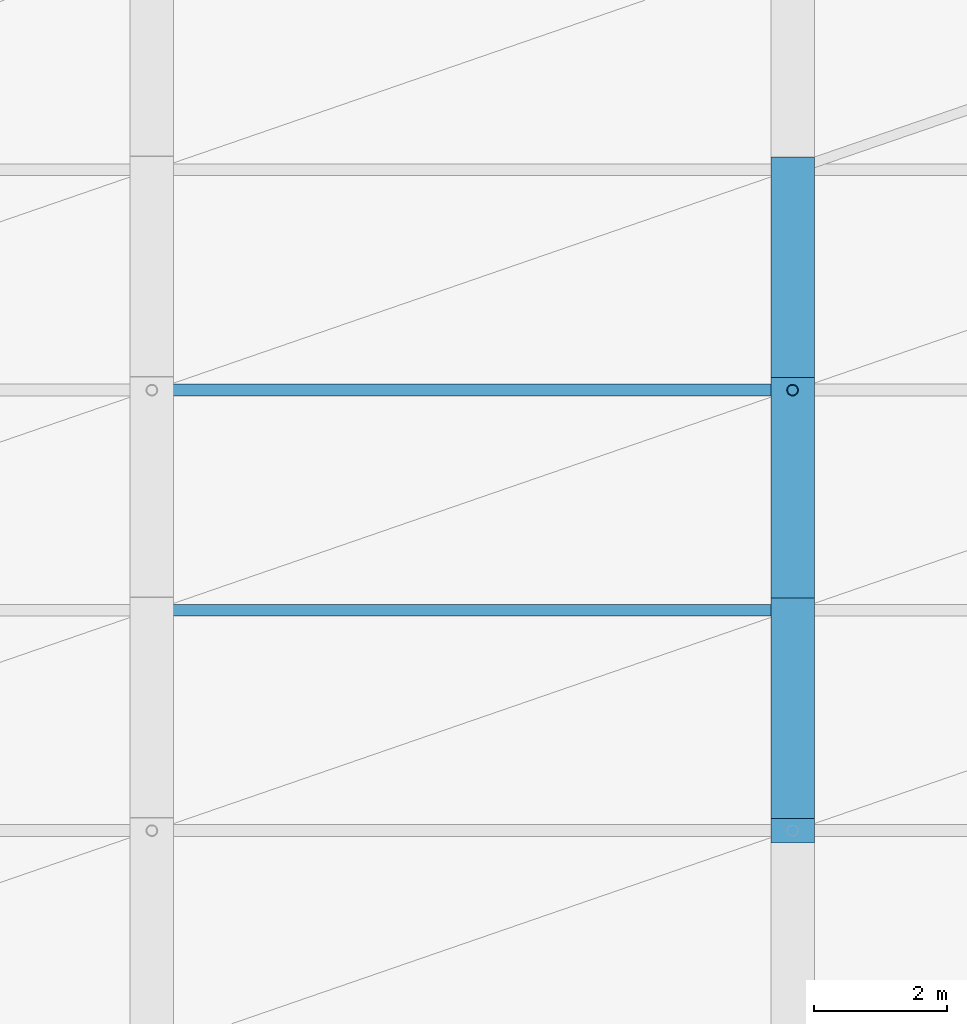
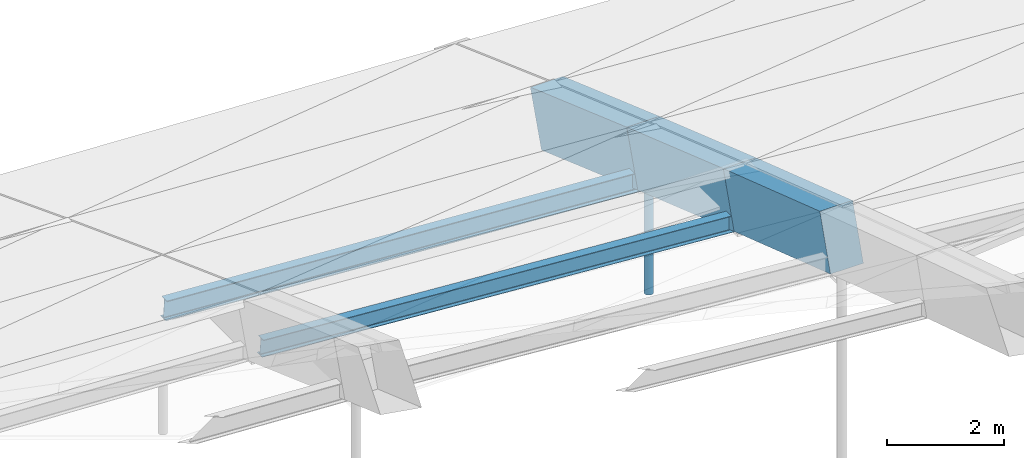
# One storey, part 35 of 43: 3 beams, 3 members.
"""IFC4 building model written with IfcOpenShell, lengths in metres."""

from ifc_helpers import new_model, si_unit, direction, frame, origin, origin_2d, place, context, subcontext, project, spatial, rectangle, hollow_circle, i_section, extrude, material, material_profile, profile_set, type_object, element, save


model = new_model("IFC4")

# Units and contexts
model_context = context("Model", 3, precision=1e-05, world=origin(), true_north=direction((0.0, 1.0)))
body_context = subcontext(model_context, "Body", "Model", "MODEL_VIEW")
ifc_project = project(units=[si_unit("LENGTHUNIT", "METRE"), si_unit("AREAUNIT", "SQUARE_METRE"), si_unit("VOLUMEUNIT", "CUBIC_METRE"), si_unit("PLANEANGLEUNIT", "RADIAN"), si_unit("MASSUNIT", "GRAM", prefix="KILO")], contexts=[model_context])

# Site, building, storey
site_placement = place(None, origin())
site = spatial("IfcSite", under=ifc_project, at=site_placement, CompositionType="ELEMENT")
building_placement = place(site_placement, origin())
building = spatial("IfcBuilding", under=site, at=building_placement, Name="Chalmorin Arch Market", CompositionType="ELEMENT")
storey_placement = place(building_placement, frame((0.0, 0.0, 18.60009765625)))
storey = spatial("IfcBuildingStorey", under=building, at=storey_placement, Name="RF", CompositionType="ELEMENT", Elevation=18.60009765625)

# Member
ifc_material_1 = material(Name="Steel A500 Grade C", Category="steel")
ifc_material_profile_1 = material_profile(ifc_material_1, hollow_circle(Radius=0.084228515625, WallThickness=0.007080078125, at=origin_2d()), Name="CHS168X7")
ifc_profile_set_1 = profile_set([ifc_material_profile_1], Name="Steel A500 Grade C")
member_type_1 = type_object("IfcMemberType", Name="ArchHangerTie-CHS168", PredefinedType="CHORD", material=ifc_profile_set_1)
member_1_placement = place(storey_placement, frame((115.199951171875, 52.199951171875, -3.283447265625), z_axis=(0.0, 0.0, 1.0), x_axis=(1.0, 0.0, 0.0)))
element("IfcMember", 1, at=member_1_placement, inside=storey, type_object=member_type_1, Name="HT-CH168-0183", PredefinedType="CHORD", context=body_context, shape_type="SweptSolid", body=[
    extrude(hollow_circle(Radius=0.084228515625, WallThickness=0.007080078125, at=origin_2d()), origin(), (0.0, 0.0, 1.0), 2.90673828125),
])

# Beams
ifc_material_2 = material(Name="Concrete C50/60", Category="concrete")
ifc_material_profile_2 = material_profile(ifc_material_2, rectangle(XDim=0.64990234375, YDim=1.14990234375, at=origin_2d()), Name="RC650X1150")
ifc_profile_set_2 = profile_set([ifc_material_profile_2], Name="Concrete C50/60")
beam_type = type_object("IfcBeamType", Name="ArchRibChord-650x1150", PredefinedType="BEAM", material=ifc_profile_set_2)
beam_1_placement = place(storey_placement, frame((115.199951171875, 45.60009765625, 1.87060546875), z_axis=(0.0, 0.947824287772, -0.318793223751), x_axis=(-1.0, 0.0, 0.0)))
element("IfcBeam", 2, at=beam_1_placement, inside=storey, type_object=beam_type, Name="AR-01-1730", PredefinedType="BEAM", context=body_context, shape_type="SweptSolid", body=[
    extrude(rectangle(XDim=0.64990234375, YDim=1.14990234375, at=origin_2d()), origin(), (0.0, 0.0, 1.0), 3.4814453125),
])
beam_2_placement = place(storey_placement, frame((115.199951171875, 48.89990234375, 0.7607421875), z_axis=(0.0, 0.945416826687, -0.325863504885), x_axis=(-1.0, 0.0, 0.0)))
element("IfcBeam", 3, at=beam_2_placement, inside=storey, type_object=beam_type, Name="AR-01-1731", PredefinedType="BEAM", context=body_context, shape_type="SweptSolid", body=[
    extrude(rectangle(XDim=0.64990234375, YDim=1.14990234375, at=origin_2d()), origin(), (0.0, 0.0, 1.0), 3.490478515625),
])
beam_3_placement = place(storey_placement, frame((115.199951171875, 52.199951171875, -0.376708984375), z_axis=(0.0, 0.94300578807, -0.332776326781), x_axis=(-1.0, 0.0, 0.0)))
element("IfcBeam", 4, at=beam_3_placement, inside=storey, type_object=beam_type, Name="AR-01-1732", PredefinedType="BEAM", context=body_context, shape_type="SweptSolid", body=[
    extrude(rectangle(XDim=0.64990234375, YDim=1.14990234375, at=origin_2d()), origin(), (0.0, 0.0, 1.0), 3.49951171875),
])

# Members
ifc_material_3 = material(Name="Steel A992 Grade 50", Category="steel")
ifc_material_profile_3 = material_profile(ifc_material_3, i_section(OverallWidth=0.1708984375, OverallDepth=0.35107421875, WebThickness=0.0068359375, FlangeThickness=0.009765625, FilletRadius=0.014892578125, at=origin_2d()), Name="W14X30")
ifc_profile_set_3 = profile_set([ifc_material_profile_3], Name="Steel A992 Grade 50")
member_type_2 = type_object("IfcMemberType", Name="RoofSteelPurlin-W14X30", PredefinedType="PURLIN", material=ifc_profile_set_3)
member_2_placement = place(storey_placement, frame((105.6201171875, 48.89990234375, 0.94482421875), z_axis=(0.997596075775, 0.0, -0.069296966726), x_axis=(0.0, 1.0, 0.0)))
element("IfcMember", 5, at=member_2_placement, inside=storey, type_object=member_type_2, Name="PR-W14-0311", PredefinedType="PURLIN", context=body_context, shape_type="SweptSolid", body=[
    extrude(i_section(OverallWidth=0.1708984375, OverallDepth=0.35107421875, WebThickness=0.0068359375, FlangeThickness=0.009765625, FilletRadius=0.014892578125, at=origin_2d()), origin(), (0.0, 0.0, 1.0), 9.582763671875),
])
ifc_material_profile_4 = material_profile(ifc_material_3, i_section(OverallWidth=0.178955078125, OverallDepth=0.409912109375, WebThickness=0.0087890625, FlangeThickness=0.014404296875, FilletRadius=0.01806640625, at=origin_2d()), Name="W16X45")
ifc_profile_set_4 = profile_set([ifc_material_profile_4], Name="Steel A992 Grade 50")
member_type_3 = type_object("IfcMemberType", Name="RoofSteelPurlin-W16X45", PredefinedType="PURLIN", material=ifc_profile_set_4)
member_3_placement = place(storey_placement, frame((105.6201171875, 52.199951171875, -0.26611328125), z_axis=(0.998097248777, 0.0, -0.061659403039), x_axis=(0.0, 1.0, 0.0)))
element("IfcMember", 6, at=member_3_placement, inside=storey, type_object=member_type_3, Name="PR-W16-0312", PredefinedType="PURLIN", context=body_context, shape_type="SweptSolid", body=[
    extrude(i_section(OverallWidth=0.178955078125, OverallDepth=0.409912109375, WebThickness=0.0087890625, FlangeThickness=0.014404296875, FilletRadius=0.01806640625, at=origin_2d()), origin(), (0.0, 0.0, 1.0), 9.578125),
])

save(model, "model.ifc")
